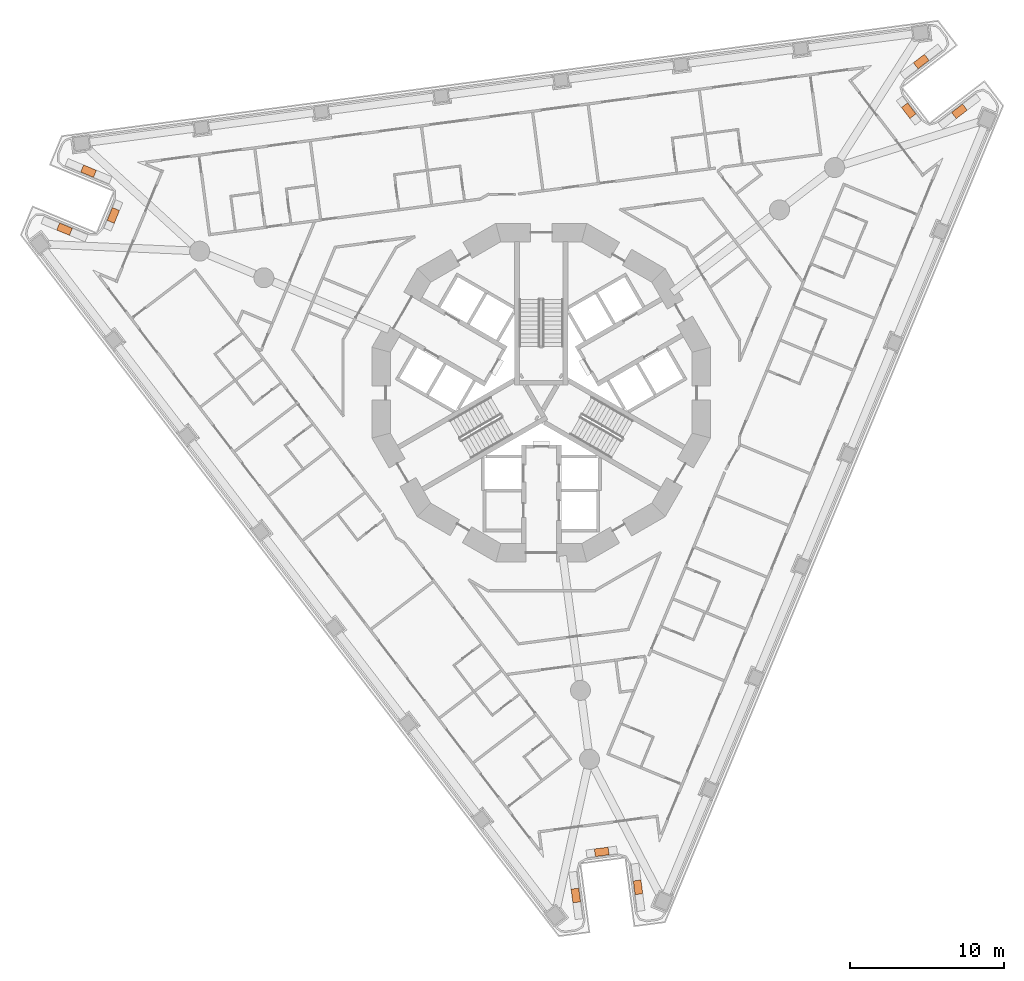
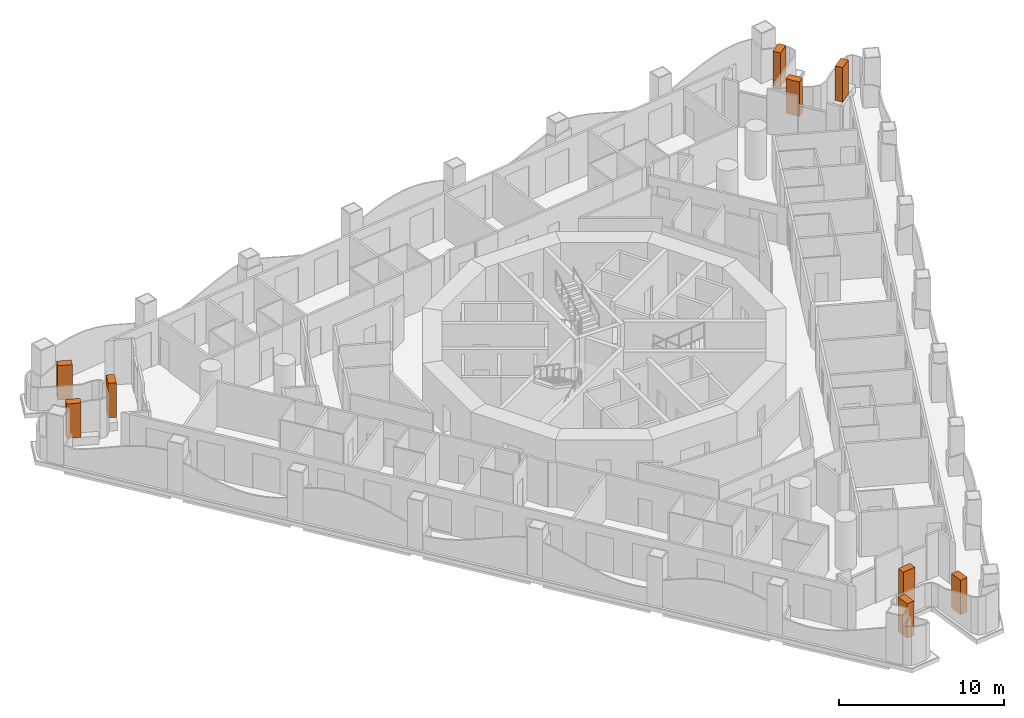
# One storey, part 19 of 19: 9 geographic elements.
"""IFC4 building model written with IfcOpenShell, lengths in metres."""

from ifc_helpers import new_model, si_unit, direction, frame, origin, origin_2d, place, context, subcontext, project, spatial, rectangle, extrude, element, save


model = new_model("IFC4")

# Units and contexts
model_context = context("Model", 3, precision=1e-05, world=origin(), true_north=direction((0.0, 1.0)))
body_context = subcontext(model_context, "Body", "Model", "MODEL_VIEW")
ifc_project = project(units=[si_unit("LENGTHUNIT", "METRE"), si_unit("AREAUNIT", "SQUARE_METRE"), si_unit("VOLUMEUNIT", "CUBIC_METRE"), si_unit("PLANEANGLEUNIT", "RADIAN"), si_unit("MASSUNIT", "GRAM", prefix="KILO")], contexts=[model_context])

# Site, building, storey
site_placement = place(None, origin())
site = spatial("IfcSite", under=ifc_project, at=site_placement, CompositionType="ELEMENT")
building_placement = place(site_placement, origin())
building = spatial("IfcBuilding", under=site, at=building_placement, Name="Trine Commons Tower", CompositionType="ELEMENT")
storey_placement = place(building_placement, frame((0.0, 0.0, 61.199951171875)))
storey = spatial("IfcBuildingStorey", under=building, at=storey_placement, Name="L14", CompositionType="ELEMENT", Elevation=61.199951171875)

# Geographic elements
for number, where, z_axis, x_axis, name in (
    (1, (49.005126953125, 73.13037109375, 0.60009765625), (0.0, 0.0, 1.0), (0.923885543575, -0.382668920052, 0.0), "Tree 1.1"),
    (2, (52.1787109375, 74.02392578125, 0.60009765625), (0.0, 0.0, 1.0), (0.382688269782, 0.923877528773, 0.0), "Tree 2.1"),
    (3, (50.56640625, 76.89990234375, 0.60009765625), (0.0, 0.0, 1.0), (-0.923885543575, 0.382668920052, 0.0), "Tree 3.1"),
    (4, (104.70361328125, 84.027099609375, 0.60009765625), (0.0, 0.0, 1.0), (-0.793358652707, -0.608754505672, 0.0), "Tree 4.1"),
    (5, (103.890625, 80.831787109375, 0.60009765625), (0.0, 0.0, 1.0), (0.608735120081, -0.793373527148, 0.0), "Tree 5.1"),
    (6, (107.187255859375, 80.790283203125, 0.60009765625), (0.0, 0.0, 1.0), (0.793358652707, 0.608754505672, 0.0), "Tree 6.1"),
    (7, (86.291259765625, 30.342529296875, 0.60009765625), (0.0, 0.0, 1.0), (-0.130517540226, 0.991446000392, 0.0), "Tree 7.1"),
    (8, (83.9306640625, 32.64404296875, 0.60009765625), (0.0, 0.0, 1.0), (-0.991442583111, -0.130543496177, 0.0), "Tree 8.1"),
    (9, (82.24609375, 29.81005859375, 0.60009765625), (0.0, 0.0, 1.0), (0.130546956964, -0.991442127422, 0.0), "Tree 9.1"),
):
    element("IfcGeographicElement", number, at=place(storey_placement, frame(where, z_axis=z_axis, x_axis=x_axis)), inside=storey, Name=name, ObjectType="TREE Tabebuia rosea", PredefinedType="USERDEFINED", context=body_context, shape_type="SweptSolid", body=[
        extrude(rectangle(XDim=0.89990234375, YDim=0.5, at=origin_2d()), origin(), (0.0, 0.0, 1.0), 2.550048828125),
    ])

save(model, "model.ifc")
